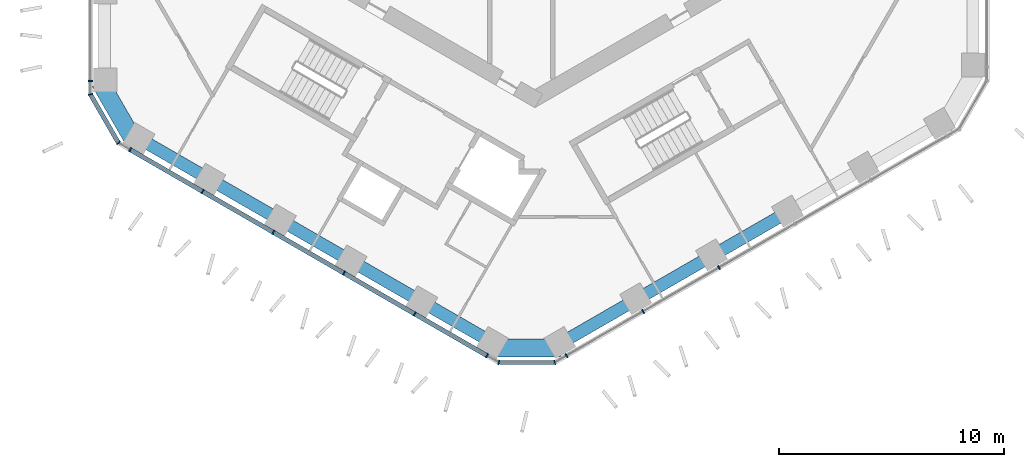
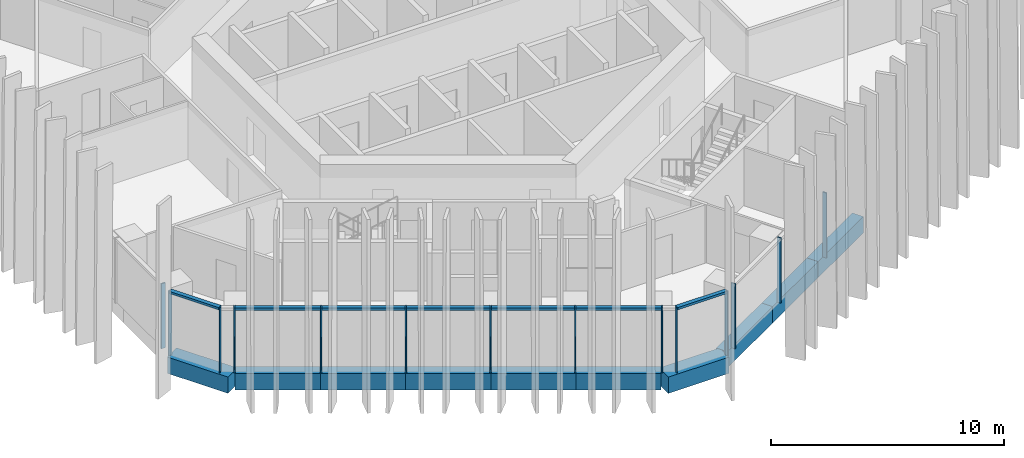
# One storey, part 2 of 19: 17 members, 10 beams, 5 elements without a shape of their own.
"""IFC4 building model written with IfcOpenShell, lengths in metres."""

from ifc_helpers import new_model, si_unit, direction, frame, origin, origin_2d, place, context, subcontext, project, spatial, rectangle, extrude, material, layer, layer_set, material_profile, profile_set, type_object, element, aggregate, save


model = new_model("IFC4")

# Units and contexts
model_context = context("Model", 3, precision=1e-05, world=origin(), true_north=direction((0.0, 1.0)))
body_context = subcontext(model_context, "Body", "Model", "MODEL_VIEW")
ifc_project = project(units=[si_unit("LENGTHUNIT", "METRE"), si_unit("AREAUNIT", "SQUARE_METRE"), si_unit("VOLUMEUNIT", "CUBIC_METRE"), si_unit("PLANEANGLEUNIT", "RADIAN"), si_unit("MASSUNIT", "GRAM", prefix="KILO")], contexts=[model_context])

# Site, building, storey
site_placement = place(None, origin())
site = spatial("IfcSite", under=ifc_project, at=site_placement, CompositionType="ELEMENT")
building_placement = place(site_placement, origin())
building = spatial("IfcBuilding", under=site, at=building_placement, Name="Ayvan Gate Tower", CompositionType="ELEMENT")
storey_placement = place(building_placement, frame((0.0, 0.0, 103.5)))
storey = spatial("IfcBuildingStorey", under=building, at=storey_placement, Name="L27", CompositionType="ELEMENT", Elevation=103.5)

# Beams
ifc_material_1 = material(Name="Concrete C40/50", Category="concrete")
ifc_material_profile_1 = material_profile(ifc_material_1, rectangle(XDim=0.800048828125, YDim=0.85009765625, at=origin_2d()), Name="RC 800x850")
ifc_profile_set_1 = profile_set([ifc_material_profile_1], Name="Concrete C40/50")
beam_type_1 = type_object("IfcBeamType", Name="Corner spandrel beam RC 800x850 C40/50", PredefinedType="BEAM", material=ifc_profile_set_1)
for number, where, z_axis, x_axis, name in (
    (1, (-19.33349609375, -9.82568359375, -0.77490234375), (0.499990139034, -0.866031096941, 0.0), (0.866031096941, 0.499990139034, 0.0), "SB-L27-24"),
    (2, (-1.842529296875, -21.65625, -0.77490234375), (1.0, 0.0, 0.0), (0.0, 1.0, 0.0), "SB-L27-30"),
):
    element("IfcBeam", number, at=place(storey_placement, frame(where, z_axis=z_axis, x_axis=x_axis)), inside=storey, type_object=beam_type_1, Name=name, PredefinedType="BEAM", context=body_context, shape_type="SweptSolid", body=[
        extrude(rectangle(XDim=0.800048828125, YDim=0.85009765625, at=origin_2d()), origin(), (0.0, 0.0, 1.0), 3.0),
    ])
ifc_material_profile_2 = material_profile(ifc_material_1, rectangle(XDim=0.550048828125, YDim=0.85009765625, at=origin_2d()), Name="RC 550x850")
ifc_profile_set_2 = profile_set([ifc_material_profile_2], Name="Concrete C40/50")
beam_type_2 = type_object("IfcBeamType", Name="Spandrel beam RC 550x850 C40/50", PredefinedType="BEAM", material=ifc_profile_set_2)
for number, where, z_axis, x_axis, name in (
    (3, (-17.64306640625, -12.313720703125, -0.77490234375), (0.866031831963, -0.499988865904, 0.0), (0.499988865904, 0.866031831963, 0.0), "SB-L27-25"),
    (4, (-14.48291015625, -14.13818359375, -0.77490234375), (0.866031831963, -0.499988865904, 0.0), (0.499988865904, 0.866031831963, 0.0), "SB-L27-26"),
    (5, (-11.32275390625, -15.962646484375, -0.77490234375), (0.865986130724, -0.500068016768, 0.0), (0.500068016768, 0.865986130724, 0.0), "SB-L27-27"),
    (6, (-8.162841796875, -17.787353515625, -0.77490234375), (0.866031831963, -0.499988865904, 0.0), (0.499988865904, 0.866031831963, 0.0), "SB-L27-28"),
    (7, (-5.002685546875, -19.61181640625, -0.77490234375), (0.866031831963, -0.499988865904, 0.0), (0.499988865904, 0.866031831963, 0.0), "SB-L27-29"),
):
    element("IfcBeam", number, at=place(storey_placement, frame(where, z_axis=z_axis, x_axis=x_axis)), inside=storey, type_object=beam_type_2, Name=name, PredefinedType="BEAM", context=body_context, shape_type="SweptSolid", body=[
        extrude(rectangle(XDim=0.550048828125, YDim=0.85009765625, at=origin_2d()), origin(), (0.0, 0.0, 1.0), 3.64892578125),
    ])
beam_placement = place(storey_placement, frame((1.157470703125, -21.436279296875, -0.77490234375), z_axis=(0.866019241107, 0.500010673919, 0.0), x_axis=(-0.500010673919, 0.866019241107, 0.0)))
element("IfcBeam", 8, at=beam_placement, inside=storey, type_object=beam_type_2, Name="SB-L27-31", PredefinedType="BEAM", context=body_context, shape_type="SweptSolid", body=[
    extrude(rectangle(XDim=0.550048828125, YDim=0.85009765625, at=origin_2d()), origin(), (0.0, 0.0, 1.0), 3.88623046875),
])
for number, where, z_axis, x_axis, name in (
    (9, (4.52294921875, -19.4931640625, -0.77490234375), (0.866007744685, 0.500030585209, 0.0), (-0.500030585209, 0.866007744685, 0.0), "SB-L27-32"),
    (10, (7.888671875, -17.5498046875, -0.77490234375), (0.866034946322, 0.499983471476, 0.0), (-0.499983471476, 0.866034946322, 0.0), "SB-L27-33"),
):
    element("IfcBeam", number, at=place(storey_placement, frame(where, z_axis=z_axis, x_axis=x_axis)), inside=storey, type_object=beam_type_2, Name=name, PredefinedType="BEAM", context=body_context, shape_type="SweptSolid", body=[
        extrude(rectangle(XDim=0.550048828125, YDim=0.85009765625, at=origin_2d()), origin(), (0.0, 0.0, 1.0), 3.886474609375),
    ])

# Curtain wall, member
ifc_material_2 = material(Name="Bronze anodised aluminium", Category="aluminium")
ifc_layer_1 = layer(ifc_material_2, 0.199951171875)
ifc_layer_set_1 = layer_set([ifc_layer_1], Name="Bronze anodised aluminium")
curtain_wall_type_1 = type_object("IfcCurtainWallType", Name="Stick curtain wall CW-1", PredefinedType="NOTDEFINED", material=ifc_layer_set_1)
curtain_wall_1_placement = place(storey_placement, origin())
curtain_wall_1 = element("IfcCurtainWall", 11, at=curtain_wall_1_placement, inside=storey, type_object=curtain_wall_type_1, Name="Stick curtain wall CW-1 L27", PredefinedType="NOTDEFINED")
ifc_material_profile_3 = material_profile(ifc_material_2, rectangle(XDim=0.199951171875, YDim=0.06005859375, at=origin_2d()), Name="Stick curtain wall CW-1 mullion 200 x 60")
ifc_profile_set_3 = profile_set([ifc_material_profile_3], Name="Bronze anodised aluminium")
member_type_1 = type_object("IfcMemberType", Name="Stick curtain wall CW-1 mullion 200 x 60", PredefinedType="MULLION", material=ifc_profile_set_3)
member_1_placement = place(storey_placement, frame((-19.75439453125, -9.77587890625, 0.0), z_axis=(0.0, 0.0, 1.0), x_axis=(-1.0, 0.0, 0.0)))
member_1 = element("IfcMember", 12, at=member_1_placement, type_object=member_type_1, Name="CW-1 mullion 6", PredefinedType="MULLION", context=body_context, shape_type="SweptSolid", body=[
    extrude(rectangle(XDim=0.199951171875, YDim=0.06005859375, at=origin_2d()), origin(), (0.0, 0.0, 1.0), 3.39990234375),
])
aggregate(curtain_wall_1, [member_1])

# Curtain wall, members
curtain_wall_2_placement = place(storey_placement, origin())
curtain_wall_2 = element("IfcCurtainWall", 13, at=curtain_wall_2_placement, inside=storey, type_object=curtain_wall_type_1, Name="Stick curtain wall CW-1 L27", PredefinedType="NOTDEFINED")
member_2_placement = place(storey_placement, frame((-17.9873046875, -12.836669921875, 0.0), z_axis=(0.0, 0.0, 1.0), x_axis=(-0.5, -0.866025403784, 0.0)))
member_2 = element("IfcMember", 14, at=member_2_placement, type_object=member_type_1, Name="CW-1 mullion 1", PredefinedType="MULLION", context=body_context, shape_type="SweptSolid", body=[
    extrude(rectangle(XDim=0.199951171875, YDim=0.06005859375, at=origin_2d()), origin(), (0.0, 0.0, 1.0), 3.39990234375),
])
member_3_placement = place(storey_placement, frame((-14.76904296875, -14.69482421875, 0.0), z_axis=(0.0, 0.0, 1.0), x_axis=(-0.5, -0.866025403784, 0.0)))
member_3 = element("IfcMember", 15, at=member_3_placement, type_object=member_type_1, Name="CW-1 mullion 2", PredefinedType="MULLION", context=body_context, shape_type="SweptSolid", body=[
    extrude(rectangle(XDim=0.199951171875, YDim=0.06005859375, at=origin_2d()), origin(), (0.0, 0.0, 1.0), 3.39990234375),
])
member_4_placement = place(storey_placement, frame((-11.626220703125, -16.50927734375, 0.0), z_axis=(0.0, 0.0, 1.0), x_axis=(-0.5, -0.866025403784, 0.0)))
member_4 = element("IfcMember", 16, at=member_4_placement, type_object=member_type_1, Name="CW-1 mullion 3", PredefinedType="MULLION", context=body_context, shape_type="SweptSolid", body=[
    extrude(rectangle(XDim=0.199951171875, YDim=0.06005859375, at=origin_2d()), origin(), (0.0, 0.0, 1.0), 3.39990234375),
])
member_5_placement = place(storey_placement, frame((-8.4833984375, -18.32373046875, 0.0), z_axis=(0.0, 0.0, 1.0), x_axis=(-0.5, -0.866025403784, 0.0)))
member_5 = element("IfcMember", 17, at=member_5_placement, type_object=member_type_1, Name="CW-1 mullion 4", PredefinedType="MULLION", context=body_context, shape_type="SweptSolid", body=[
    extrude(rectangle(XDim=0.199951171875, YDim=0.06005859375, at=origin_2d()), origin(), (0.0, 0.0, 1.0), 3.39990234375),
])
member_6_placement = place(storey_placement, frame((-5.340576171875, -20.13818359375, 0.0), z_axis=(0.0, 0.0, 1.0), x_axis=(-0.5, -0.866025403784, 0.0)))
member_6 = element("IfcMember", 18, at=member_6_placement, type_object=member_type_1, Name="CW-1 mullion 5", PredefinedType="MULLION", context=body_context, shape_type="SweptSolid", body=[
    extrude(rectangle(XDim=0.199951171875, YDim=0.06005859375, at=origin_2d()), origin(), (0.0, 0.0, 1.0), 3.39990234375),
])
member_7_placement = place(storey_placement, frame((-2.123291015625, -21.995849609375, 0.0), z_axis=(0.0, 0.0, 1.0), x_axis=(-0.5, -0.866025403784, 0.0)))
member_7 = element("IfcMember", 19, at=member_7_placement, type_object=member_type_1, Name="CW-1 mullion 6", PredefinedType="MULLION", context=body_context, shape_type="SweptSolid", body=[
    extrude(rectangle(XDim=0.199951171875, YDim=0.06005859375, at=origin_2d()), origin(), (0.0, 0.0, 1.0), 3.39990234375),
])

curtain_wall_3_placement = place(storey_placement, origin())
curtain_wall_3 = element("IfcCurtainWall", 20, at=curtain_wall_3_placement, inside=storey, type_object=curtain_wall_type_1, Name="Stick curtain wall CW-1 L27", PredefinedType="NOTDEFINED")
member_8_placement = place(storey_placement, frame((1.4111328125, -21.995849609375, 0.0), z_axis=(0.0, 0.0, 1.0), x_axis=(0.5, -0.866025403784, 0.0)))
member_8 = element("IfcMember", 21, at=member_8_placement, type_object=member_type_1, Name="CW-1 mullion 1", PredefinedType="MULLION", context=body_context, shape_type="SweptSolid", body=[
    extrude(rectangle(XDim=0.199951171875, YDim=0.06005859375, at=origin_2d()), origin(), (0.0, 0.0, 1.0), 3.39990234375),
])
member_9_placement = place(storey_placement, frame((4.8154296875, -20.0302734375, 0.0), z_axis=(0.0, 0.0, 1.0), x_axis=(0.5, -0.866025403784, 0.0)))
member_9 = element("IfcMember", 22, at=member_9_placement, type_object=member_type_1, Name="CW-1 mullion 2", PredefinedType="MULLION", context=body_context, shape_type="SweptSolid", body=[
    extrude(rectangle(XDim=0.199951171875, YDim=0.06005859375, at=origin_2d()), origin(), (0.0, 0.0, 1.0), 3.39990234375),
])
member_10_placement = place(storey_placement, frame((8.1904296875, -18.081787109375, 0.0), z_axis=(0.0, 0.0, 1.0), x_axis=(0.5, -0.866025403784, 0.0)))
member_10 = element("IfcMember", 23, at=member_10_placement, type_object=member_type_1, Name="CW-1 mullion 3", PredefinedType="MULLION", context=body_context, shape_type="SweptSolid", body=[
    extrude(rectangle(XDim=0.199951171875, YDim=0.06005859375, at=origin_2d()), origin(), (0.0, 0.0, 1.0), 3.39990234375),
])
aggregate(curtain_wall_3, [member_8, member_9, member_10])

# Member
ifc_material_profile_4 = material_profile(ifc_material_2, rectangle(XDim=0.199951171875, YDim=0.1201171875, at=origin_2d()), Name="Stick curtain wall CW-1 transom 200 x 120")
ifc_profile_set_4 = profile_set([ifc_material_profile_4], Name="Bronze anodised aluminium")
member_type_2 = type_object("IfcMemberType", Name="Stick curtain wall CW-1 transom 200 x 120", PredefinedType="USERDEFINED", material=ifc_profile_set_4)
member_11_placement = place(storey_placement, frame((-17.9873046875, -12.836669921875, 3.340087890625), z_axis=(0.866023344319, -0.500003567083, 0.0), x_axis=(0.500003567083, 0.866023344319, 0.0)))
member_11 = element("IfcMember", 24, at=member_11_placement, type_object=member_type_2, Name="CW-1 transom 1", ObjectType="TRANSOM", PredefinedType="USERDEFINED", context=body_context, shape_type="SweptSolid", body=[
    extrude(rectangle(XDim=0.199951171875, YDim=0.1201171875, at=origin_2d()), origin(), (0.0, 0.0, 1.0), 18.318115234375),
])

aggregate(curtain_wall_2, [member_2, member_3, member_4, member_5, member_6, member_7, member_11])

# Curtain wall, members
ifc_layer_2 = layer(ifc_material_2, 0.199951171875)
ifc_layer_set_2 = layer_set([ifc_layer_2], Name="Bronze anodised aluminium")
curtain_wall_type_2 = type_object("IfcCurtainWallType", Name="Stick curtain wall CW-6", PredefinedType="NOTDEFINED", material=ifc_layer_set_2)
curtain_wall_4_placement = place(storey_placement, origin())
curtain_wall_4 = element("IfcCurtainWall", 25, at=curtain_wall_4_placement, inside=storey, type_object=curtain_wall_type_2, Name="Stick curtain wall CW-6 L27", PredefinedType="NOTDEFINED")
ifc_material_profile_5 = material_profile(ifc_material_2, rectangle(XDim=0.199951171875, YDim=0.050048828125, at=origin_2d()), Name="Stick curtain wall CW-6 mullion 200 x 50")
ifc_profile_set_5 = profile_set([ifc_material_profile_5], Name="Bronze anodised aluminium")
member_type_3 = type_object("IfcMemberType", Name="Stick curtain wall CW-6 mullion 200 x 50", PredefinedType="MULLION", material=ifc_profile_set_5)
member_12_placement = place(storey_placement, frame((-19.75439453125, -10.380859375, 0.0), z_axis=(0.0, 0.0, 1.0), x_axis=(-0.965925826289, -0.258819045103, 0.0)))
member_12 = element("IfcMember", 26, at=member_12_placement, type_object=member_type_3, Name="CW-6 mullion 2", PredefinedType="MULLION", context=body_context, shape_type="SweptSolid", body=[
    extrude(rectangle(XDim=0.199951171875, YDim=0.050048828125, at=origin_2d()), origin(), (0.0, 0.0, 1.0), 3.39990234375),
])
member_13_placement = place(storey_placement, frame((-18.51123046875, -12.5341796875, 0.0), z_axis=(0.0, 0.0, 1.0), x_axis=(-0.707106781187, -0.707106781187, 0.0)))
member_13 = element("IfcMember", 27, at=member_13_placement, type_object=member_type_3, Name="CW-6 mullion 3", PredefinedType="MULLION", context=body_context, shape_type="SweptSolid", body=[
    extrude(rectangle(XDim=0.199951171875, YDim=0.050048828125, at=origin_2d()), origin(), (0.0, 0.0, 1.0), 3.39990234375),
])

curtain_wall_5_placement = place(storey_placement, origin())
curtain_wall_5 = element("IfcCurtainWall", 28, at=curtain_wall_5_placement, inside=storey, type_object=curtain_wall_type_2, Name="Stick curtain wall CW-6 L27", PredefinedType="NOTDEFINED")
member_14_placement = place(storey_placement, frame((-1.599365234375, -22.29833984375, 0.0), z_axis=(0.0, 0.0, 1.0), x_axis=(-0.258819045103, -0.965925826289, 0.0)))
member_14 = element("IfcMember", 29, at=member_14_placement, type_object=member_type_3, Name="CW-6 mullion 2", PredefinedType="MULLION", context=body_context, shape_type="SweptSolid", body=[
    extrude(rectangle(XDim=0.199951171875, YDim=0.050048828125, at=origin_2d()), origin(), (0.0, 0.0, 1.0), 3.39990234375),
])
member_15_placement = place(storey_placement, frame((0.88720703125, -22.29833984375, 0.0), z_axis=(0.0, 0.0, 1.0), x_axis=(0.258819045103, -0.965925826289, 0.0)))
member_15 = element("IfcMember", 30, at=member_15_placement, type_object=member_type_3, Name="CW-6 mullion 3", PredefinedType="MULLION", context=body_context, shape_type="SweptSolid", body=[
    extrude(rectangle(XDim=0.199951171875, YDim=0.050048828125, at=origin_2d()), origin(), (0.0, 0.0, 1.0), 3.39990234375),
])

# Member
ifc_material_profile_6 = material_profile(ifc_material_2, rectangle(XDim=0.199951171875, YDim=0.1201171875, at=origin_2d()), Name="Stick curtain wall CW-6 transom 200 x 120")
ifc_profile_set_6 = profile_set([ifc_material_profile_6], Name="Bronze anodised aluminium")
member_type_4 = type_object("IfcMemberType", Name="Stick curtain wall CW-6 transom 200 x 120", PredefinedType="USERDEFINED", material=ifc_profile_set_6)
member_16_placement = place(storey_placement, frame((-19.741943359375, -10.402587890625, 3.340087890625), z_axis=(0.499997116, -0.866027068856, 0.0), x_axis=(0.866027068856, 0.499997116, 0.0)))
member_16 = element("IfcMember", 31, at=member_16_placement, type_object=member_type_4, Name="CW-6 transom 2", ObjectType="TRANSOM", PredefinedType="USERDEFINED", context=body_context, shape_type="SweptSolid", body=[
    extrude(rectangle(XDim=0.199951171875, YDim=0.1201171875, at=origin_2d()), origin(), (0.0, 0.0, 1.0), 2.4365234375),
])

aggregate(curtain_wall_4, [member_12, member_13, member_16])

member_17_placement = place(storey_placement, frame((-1.574462890625, -22.29833984375, 3.340087890625), z_axis=(1.0, 0.0, 0.0), x_axis=(0.0, 1.0, 0.0)))
member_17 = element("IfcMember", 32, at=member_17_placement, type_object=member_type_4, Name="CW-6 transom 2", ObjectType="TRANSOM", PredefinedType="USERDEFINED", context=body_context, shape_type="SweptSolid", body=[
    extrude(rectangle(XDim=0.199951171875, YDim=0.1201171875, at=origin_2d()), origin(), (0.0, 0.0, 1.0), 2.436767578125),
])

aggregate(curtain_wall_5, [member_14, member_15, member_17])

save(model, "model.ifc")
